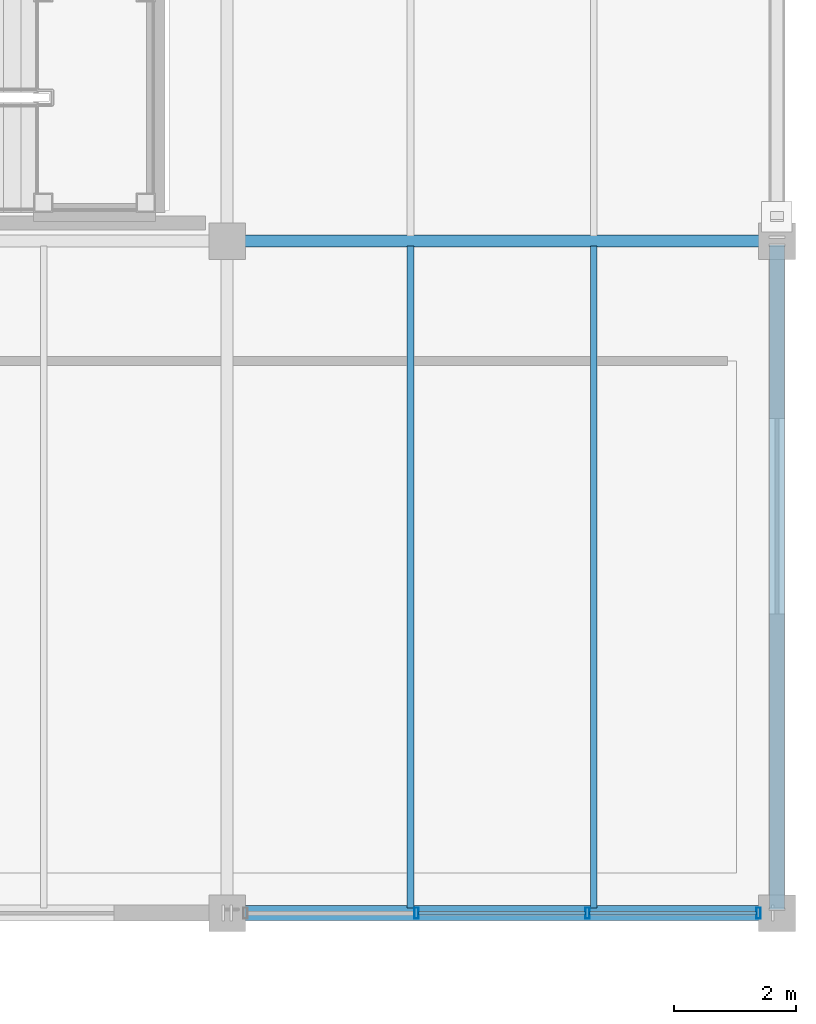
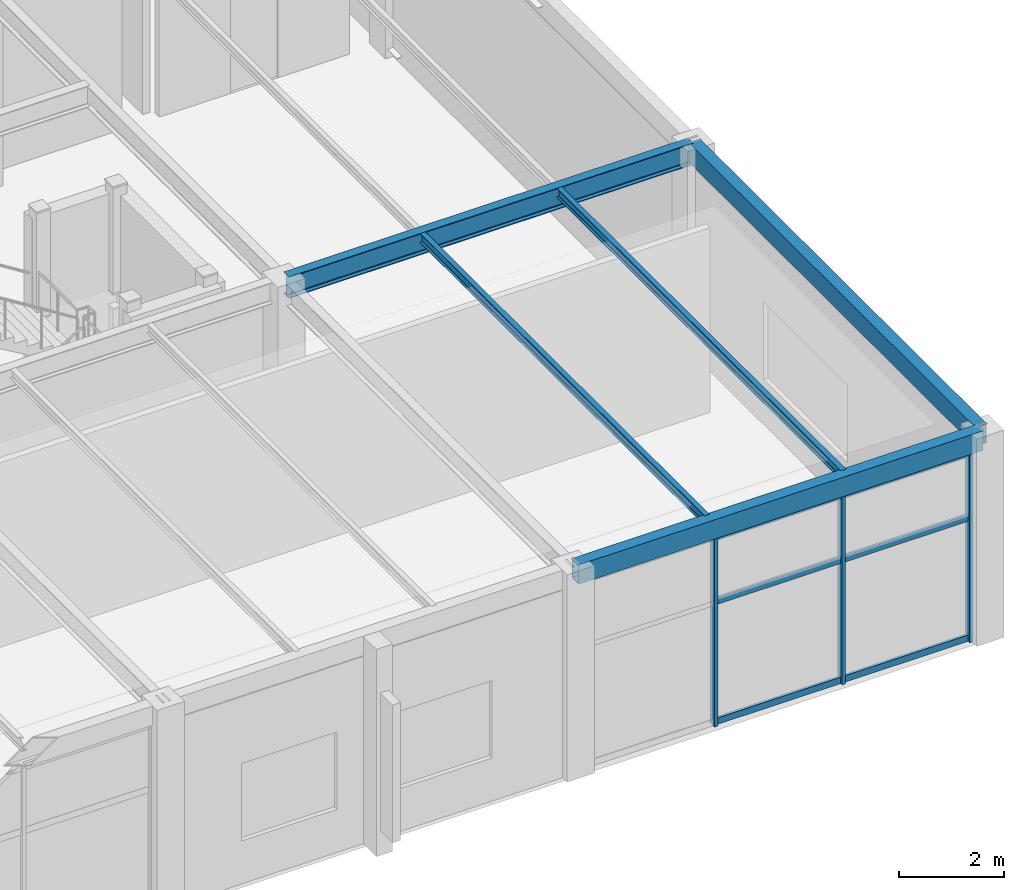
# One storey, part 62 of 143: 9 members, 5 beams, 1 element without a shape of its own.
"""IFC4 building model written with IfcOpenShell, lengths in metres."""

import ifcopenshell
import ifcopenshell.guid

model = None  # the IFC model being written
_history = None  # IfcOwnerHistory: only IFC2X3 demands one
_inside = {}  # id of a spatial element -> (the spatial element, [elements in it])
_under = {}  # id of a project, library or spatial element -> (it, [spatial elements below it])
_declared = {}  # id of a project -> (the project, [libraries it declares])
_typed = {}  # id of a type object -> (the type object, [elements of that type])
_made_of = {}  # id of a material, layer set ... -> (it, [elements and type objects made of it])


def new_model(schema):
    """Start an empty IFC model of exactly this schema.

    Asked for "IFC4X3", IfcOpenShell would pick the latest addendum, in which some entities
    have other attributes; the version numbers below select the first issue.
    IFC2X3 requires an IfcOwnerHistory on every rooted entity: one is made here for all.
    """
    global model, _history
    if schema == "IFC4X3":
        model = ifcopenshell.file(schema_version=(4, 3, 0, 0))
    else:
        model = ifcopenshell.file(schema=schema)
    _inside.clear()
    _under.clear()
    _declared.clear()
    _typed.clear()
    _made_of.clear()
    _history = None
    if model.schema == "IFC2X3":
        org = make("IfcOrganization", Name="unknown")
        user = make(
            "IfcPersonAndOrganization",
            ThePerson=make("IfcPerson", FamilyName="unknown"),
            TheOrganization=org,
        )
        app = make(
            "IfcApplication",
            ApplicationDeveloper=org,
            Version="unknown",
            ApplicationFullName="unknown",
            ApplicationIdentifier="unknown",
        )
        _history = make(
            "IfcOwnerHistory",
            OwningUser=user,
            OwningApplication=app,
            ChangeAction="ADDED",
            CreationDate=0,
        )
    return model


def make(cls, **values):
    """One entity of the class cls with the attributes given. An attribute that is None is left unset."""
    return model.create_entity(
        cls, **{name: value for name, value in values.items() if value is not None}
    )


def rooted(cls, **values):
    """An entity with a GlobalId (a new one), such as an element, a storey or a relation."""
    return make(cls, GlobalId=ifcopenshell.guid.new(), OwnerHistory=_history, **values)


def si_unit(unit_type, name, prefix=None):
    """IfcSIUnit, for example si_unit("LENGTHUNIT", "METRE", prefix="MILLI")."""
    return make("IfcSIUnit", UnitType=unit_type, Prefix=prefix, Name=name)


def assignment(units):
    """IfcUnitAssignment: the units of a project."""
    return None if units is None else make("IfcUnitAssignment", Units=units)


def point(xyz):
    """IfcCartesianPoint."""
    return None if xyz is None else make("IfcCartesianPoint", Coordinates=xyz)


def direction(xyz):
    """IfcDirection."""
    return None if xyz is None else make("IfcDirection", DirectionRatios=xyz)


def frame(location, z_axis=None, x_axis=None):
    """IfcAxis2Placement3D, a coordinate frame: its origin and axes. An axis left out is left unset."""
    return make(
        "IfcAxis2Placement3D",
        Location=point(location),
        Axis=direction(z_axis),
        RefDirection=direction(x_axis),
    )


def frame_2d(location, x_axis=None):
    """IfcAxis2Placement2D, a coordinate frame in the plane: its origin and x axis."""
    return make(
        "IfcAxis2Placement2D", Location=point(location), RefDirection=direction(x_axis)
    )


def origin():
    """The frame at (0, 0, 0) with its axes left unset."""
    return frame((0.0, 0.0, 0.0))


def origin_2d():
    """The frame at (0, 0) in the plane with its x axis left unset."""
    return frame_2d((0.0, 0.0))


def place(relative_to, where):
    """IfcLocalPlacement: puts the frame where relative to a parent placement (None: the world)."""
    return make(
        "IfcLocalPlacement", PlacementRelTo=relative_to, RelativePlacement=where
    )


def context(
    kind, dimensions, precision=None, world=None, true_north=None, identifier=None
):
    """IfcGeometricRepresentationContext, for example the 3D "Model" context."""
    return make(
        "IfcGeometricRepresentationContext",
        ContextIdentifier=identifier,
        ContextType=kind,
        CoordinateSpaceDimension=dimensions,
        Precision=precision,
        WorldCoordinateSystem=world,
        TrueNorth=true_north,
    )


def subcontext(parent, identifier, kind, view, scale=None):
    """IfcGeometricRepresentationSubContext, for example "Body" below "Model"."""
    return make(
        "IfcGeometricRepresentationSubContext",
        ContextIdentifier=identifier,
        ContextType=kind,
        ParentContext=parent,
        TargetScale=scale,
        TargetView=view,
    )


def project(units=None, contexts=None):
    """IfcProject with its units and contexts."""
    return rooted(
        "IfcProject",
        Name="project",
        RepresentationContexts=contexts,
        UnitsInContext=assignment(units),
    )


def spatial(cls, under=None, at=None, **own):
    """A site, building, storey or space (cls), placed at a placement, below another one or the project."""
    s = rooted(cls, ObjectPlacement=at, **own)
    if under is not None:
        _under.setdefault(under.id(), (under, []))[1].append(s)
    return s


def profile(cls, at=None, kind="AREA", **sizes):
    """A parametric profile (cls). Its sizes go by their IFC names, for example OverallWidth=200.0."""
    return make(cls, ProfileType=kind, Position=at, **sizes)


def hollow_rectangle(**sizes):
    """IfcRectangleHollowProfileDef."""
    return profile("IfcRectangleHollowProfileDef", **sizes)


def i_section(**sizes):
    """IfcIShapeProfileDef."""
    return profile("IfcIShapeProfileDef", **sizes)


def extrude(swept, where, along, depth):
    """IfcExtrudedAreaSolid: the profile swept, set in the frame where, extruded along a direction by depth."""
    return make(
        "IfcExtrudedAreaSolid",
        SweptArea=swept,
        Position=where,
        ExtrudedDirection=direction(along),
        Depth=depth,
    )


def shape(context_of_items, identifier, shape_type, items):
    """IfcShapeRepresentation: the items that make up one representation, for example the "Body"."""
    return make(
        "IfcShapeRepresentation",
        ContextOfItems=context_of_items,
        RepresentationIdentifier=identifier,
        RepresentationType=shape_type,
        Items=items,
    )


def material(Name=None, Category=None):
    """IfcMaterial."""
    return make("IfcMaterial", Name=Name, Category=Category)


def layer(
    of_material, thickness, ventilated=None, Name=None, Category=None, Priority=None
):
    """IfcMaterialLayer: one layer of a wall or slab, of a material (None: an air gap)."""
    return make(
        "IfcMaterialLayer",
        Material=of_material,
        LayerThickness=thickness,
        IsVentilated=ventilated,
        Name=Name,
        Category=Category,
        Priority=Priority,
    )


def layer_set(layers, Name=None):
    """IfcMaterialLayerSet."""
    return make("IfcMaterialLayerSet", MaterialLayers=layers, LayerSetName=Name)


def material_profile(
    of_material, cross_section, Name=None, Category=None, Priority=None
):
    """IfcMaterialProfile: a cross section and its material."""
    return make(
        "IfcMaterialProfile",
        Name=Name,
        Material=of_material,
        Profile=cross_section,
        Priority=Priority,
        Category=Category,
    )


def profile_set(profiles, Name=None, composite=None):
    """IfcMaterialProfileSet."""
    return make(
        "IfcMaterialProfileSet",
        Name=Name,
        MaterialProfiles=profiles,
        CompositeProfile=composite,
    )


def made_of(thing, what):
    """Note that an element or type object is made of a material, layer set ...; save() writes the relation."""
    if what is not None:
        _made_of.setdefault(what.id(), (what, []))[1].append(thing)
    return thing


def type_object(cls, material=None, **own):
    """A type object (cls), such as IfcWallType, which elements share."""
    return made_of(rooted(cls, **own), material)


def element(
    cls,
    number,
    at=None,
    inside=None,
    cuts=None,
    type_object=None,
    material=None,
    context=None,
    identifier="Body",
    shape_type=None,
    held_by="IfcProductDefinitionShape",
    body=None,
    shapes=None,
    **own,
):
    """One element of the class cls, such as IfcWall. Its Tag is "e" and its number.

    at: its placement. inside: the storey or other place that contains it. cuts: it is an
    opening in that element (IfcRelVoidsElement). A single representation is given by context,
    identifier, shape_type and body (its items); several are given by shapes. held_by: the class
    of the entity that holds the representations. save() writes the other relations.
    """
    e = rooted(cls, Tag="e%d" % number, ObjectPlacement=at, **own)
    if body is not None:
        shapes = [shape(context, identifier, shape_type, body)]
    if shapes is not None:
        e.Representation = make(held_by, Representations=shapes)
    if inside is not None:
        _inside.setdefault(inside.id(), (inside, []))[1].append(e)
    if cuts is not None:
        rooted(
            "IfcRelVoidsElement", RelatingBuildingElement=cuts, RelatedOpeningElement=e
        )
    if type_object is not None:
        _typed.setdefault(type_object.id(), (type_object, []))[1].append(e)
    return made_of(e, material)


def aggregate(whole, parts):
    """IfcRelAggregates: a whole, such as a stair, and the parts it consists of."""
    return rooted("IfcRelAggregates", RelatingObject=whole, RelatedObjects=parts)


def save(model, path):
    """Write the relations noted so far, then the file.

    IfcRelAggregates (storeys below a building ...), IfcRelContainedInSpatialStructure (elements
    in a storey), IfcRelDefinesByType, IfcRelAssociatesMaterial and IfcRelDeclares: one each for
    every whole, place, type object, material and project.
    """
    for whole, parts in _under.values():
        aggregate(whole, parts)
    for where, things in _inside.values():
        rooted(
            "IfcRelContainedInSpatialStructure",
            RelatedElements=things,
            RelatingStructure=where,
        )
    for kind, things in _typed.values():
        rooted("IfcRelDefinesByType", RelatedObjects=things, RelatingType=kind)
    for what, things in _made_of.values():
        rooted("IfcRelAssociatesMaterial", RelatedObjects=things, RelatingMaterial=what)
    for by, libraries in _declared.values():
        rooted("IfcRelDeclares", RelatingContext=by, RelatedDefinitions=libraries)
    model.write(path)


model = new_model("IFC4")

# Units and contexts
model_context = context("Model", 3, precision=1e-05, world=origin(), true_north=direction((0.0, 1.0)))
body_context = subcontext(model_context, "Body", "Model", "MODEL_VIEW")
ifc_project = project(units=[si_unit("LENGTHUNIT", "METRE"), si_unit("AREAUNIT", "SQUARE_METRE"), si_unit("VOLUMEUNIT", "CUBIC_METRE"), si_unit("PLANEANGLEUNIT", "RADIAN"), si_unit("MASSUNIT", "GRAM", prefix="KILO")], contexts=[model_context])

# Site, building, storey
site_placement = place(None, origin())
site = spatial("IfcSite", under=ifc_project, at=site_placement, CompositionType="ELEMENT")
building_placement = place(site_placement, origin())
building = spatial("IfcBuilding", under=site, at=building_placement, Name="Marlcrest Central Station", CompositionType="ELEMENT")
storey_placement = place(building_placement, frame((0.0, 0.0, 4.800048828125)))
storey = spatial("IfcBuildingStorey", under=building, at=storey_placement, Name="L01", CompositionType="ELEMENT", Elevation=4.800048828125)

# Beams
ifc_material_1 = material(Name="Steel S355", Category="steel")
ifc_material_profile_1 = material_profile(ifc_material_1, i_section(OverallWidth=0.199951171875, OverallDepth=0.5, WebThickness=0.01025390625, FlangeThickness=0.01611328125, FilletRadius=0.02099609375, at=origin_2d()), Name="IPE 500")
ifc_profile_set_1 = profile_set([ifc_material_profile_1], Name="Steel S355")
beam_type_1 = type_object("IfcBeamType", Name="BM-05", PredefinedType="BEAM", material=ifc_profile_set_1)
beam_1_placement = place(storey_placement, frame((207.06005859375, 11.0, 4.56494140625), z_axis=(1.0, 0.0, 0.0), x_axis=(0.0, 1.0, 0.0)))
element("IfcBeam", 1, at=beam_1_placement, inside=storey, type_object=beam_type_1, Name="bm-BM-05-L01-00872", PredefinedType="BEAM", context=body_context, shape_type="SweptSolid", body=[
    extrude(i_section(OverallWidth=0.199951171875, OverallDepth=0.5, WebThickness=0.01025390625, FlangeThickness=0.01611328125, FilletRadius=0.02099609375, at=origin_2d()), origin(), (0.0, 0.0, 1.0), 8.8798828125),
])
ifc_material_profile_2 = material_profile(ifc_material_1, i_section(OverallWidth=0.110107421875, OverallDepth=0.219970703125, WebThickness=0.005859375, FlangeThickness=0.00927734375, FilletRadius=0.011962890625, at=origin_2d()), Name="IPE 220")
ifc_profile_set_2 = profile_set([ifc_material_profile_2], Name="Steel S355")
beam_type_2 = type_object("IfcBeamType", Name="JS-02", PredefinedType="JOIST", material=ifc_profile_set_2)
for number, where, z_axis, x_axis, name in (
    (2, (210.0, 0.0830078125, 4.704833984375), (0.0, 1.0, 0.0), (-1.0, 0.0, 0.0), "bm-JS-02-L01-00947"),
    (3, (213.0, 0.0830078125, 4.704833984375), (0.0, 1.0, 0.0), (-1.0, 0.0, 0.0), "bm-JS-02-L01-00950"),
):
    element("IfcBeam", number, at=place(storey_placement, frame(where, z_axis=z_axis, x_axis=x_axis)), inside=storey, type_object=beam_type_2, Name=name, PredefinedType="JOIST", context=body_context, shape_type="SweptSolid", body=[
        extrude(i_section(OverallWidth=0.110107421875, OverallDepth=0.219970703125, WebThickness=0.005859375, FlangeThickness=0.00927734375, FilletRadius=0.011962890625, at=origin_2d()), origin(), (0.0, 0.0, 1.0), 10.833984375),
    ])

# Curtain wall, members
ifc_material_2 = material(Name="Anodised aluminium and hurricane laminated glass", Category="aluminium")
ifc_layer = layer(ifc_material_2, 0.179931640625, Name="CW-S1")
ifc_layer_set = layer_set([ifc_layer], Name="Anodised aluminium and hurricane laminated glass")
curtain_wall_type = type_object("IfcCurtainWallType", Name="CW-S1", PredefinedType="USERDEFINED", material=ifc_layer_set)
curtain_wall_placement = place(storey_placement, origin())
curtain_wall = element("IfcCurtainWall", 4, at=curtain_wall_placement, inside=storey, type_object=curtain_wall_type, Name="cw-L01-0152", ObjectType="STICK_CURTAIN_WALL", PredefinedType="USERDEFINED")
ifc_material_3 = material(Name="Anodised aluminium 6063-T6", Category="aluminium")
ifc_material_profile_3 = material_profile(ifc_material_3, hollow_rectangle(XDim=0.070068359375, YDim=0.179931640625, WallThickness=0.0048828125, at=origin_2d()), Name="AA-RHS 180x70x5")
ifc_profile_set_3 = profile_set([ifc_material_profile_3], Name="Anodised aluminium 6063-T6")
member_type_1 = type_object("IfcMemberType", Name="ML-02", PredefinedType="MULLION", material=ifc_profile_set_3)
member_1_placement = place(storey_placement, frame((215.699951171875, 0.0, -0.030029296875), z_axis=(0.0, 0.0, 1.0), x_axis=(1.0, 0.0, 0.0)))
member_1 = element("IfcMember", 5, at=member_1_placement, type_object=member_type_1, Name="cw-L01-0152-ml-0", PredefinedType="MULLION", context=body_context, shape_type="SweptSolid", body=[
    extrude(hollow_rectangle(XDim=0.070068359375, YDim=0.179931640625, WallThickness=0.0048828125, at=origin_2d()), origin(), (0.0, 0.0, 1.0), 4.409912109375),
])
member_2_placement = place(storey_placement, frame((212.89990234375, 0.0, -0.030029296875), z_axis=(0.0, 0.0, 1.0), x_axis=(1.0, 0.0, 0.0)))
member_2 = element("IfcMember", 6, at=member_2_placement, type_object=member_type_1, Name="cw-L01-0152-ml-1", PredefinedType="MULLION", context=body_context, shape_type="SweptSolid", body=[
    extrude(hollow_rectangle(XDim=0.070068359375, YDim=0.179931640625, WallThickness=0.0048828125, at=origin_2d()), origin(), (0.0, 0.0, 1.0), 4.409912109375),
])
member_3_placement = place(storey_placement, frame((210.10009765625, 0.0, -0.030029296875), z_axis=(0.0, 0.0, 1.0), x_axis=(1.0, 0.0, 0.0)))
member_3 = element("IfcMember", 7, at=member_3_placement, type_object=member_type_1, Name="cw-L01-0152-ml-2", PredefinedType="MULLION", context=body_context, shape_type="SweptSolid", body=[
    extrude(hollow_rectangle(XDim=0.070068359375, YDim=0.179931640625, WallThickness=0.0048828125, at=origin_2d()), origin(), (0.0, 0.0, 1.0), 4.409912109375),
])

# Beams
ifc_material_profile_4 = material_profile(ifc_material_1, hollow_rectangle(XDim=0.25, YDim=0.449951171875, WallThickness=0.01611328125, at=origin_2d()), Name="RHS 450x250x16")
ifc_profile_set_4 = profile_set([ifc_material_profile_4], Name="Steel S355")
beam_type_3 = type_object("IfcBeamType", Name="SP-02", PredefinedType="SPANDREL", material=ifc_profile_set_4)
beam_2_placement = place(storey_placement, frame((207.06005859375, 0.0, 4.58984375), z_axis=(1.0, 0.0, 0.0), x_axis=(0.0, 1.0, 0.0)))
element("IfcBeam", 8, at=beam_2_placement, inside=storey, type_object=beam_type_3, Name="bm-SP-02-L01-00865", PredefinedType="SPANDREL", context=body_context, shape_type="SweptSolid", body=[
    extrude(hollow_rectangle(XDim=0.25, YDim=0.449951171875, WallThickness=0.01611328125, at=origin_2d()), origin(), (0.0, 0.0, 1.0), 8.8798828125),
])
beam_3_placement = place(storey_placement, frame((216.0, 0.06005859375, 4.58984375), z_axis=(0.0, 1.0, 0.0), x_axis=(-1.0, 0.0, 0.0)))
element("IfcBeam", 9, at=beam_3_placement, inside=storey, type_object=beam_type_3, Name="bm-SP-02-L01-00908", PredefinedType="SPANDREL", context=body_context, shape_type="SweptSolid", body=[
    extrude(hollow_rectangle(XDim=0.25, YDim=0.449951171875, WallThickness=0.01611328125, at=origin_2d()), origin(), (0.0, 0.0, 1.0), 10.8798828125),
])

# Member
ifc_material_profile_5 = material_profile(ifc_material_3, hollow_rectangle(XDim=0.06005859375, YDim=0.14990234375, WallThickness=0.00390625, at=origin_2d()), Name="AA-RHS 150x60x4")
ifc_profile_set_5 = profile_set([ifc_material_profile_5], Name="Anodised aluminium 6063-T6")
member_type_2 = type_object("IfcMemberType", Name="TR-01", PredefinedType="USERDEFINED", material=ifc_profile_set_5)
member_4_placement = place(storey_placement, frame((215.6669921875, 0.0, 0.0400390625), z_axis=(-1.0, 0.0, 0.0), x_axis=(0.0, -1.0, 0.0)))
member_4 = element("IfcMember", 10, at=member_4_placement, type_object=member_type_2, Name="cw-L01-0152-tr-0-sill", ObjectType="TRANSOM", PredefinedType="USERDEFINED", context=body_context, shape_type="SweptSolid", body=[
    extrude(hollow_rectangle(XDim=0.06005859375, YDim=0.14990234375, WallThickness=0.00390625, at=origin_2d()), origin(), (0.0, 0.0, 1.0), 2.73388671875),
])

member_5_placement = place(storey_placement, frame((215.6669921875, 0.0, 2.827880859375), z_axis=(-1.0, 0.0, 0.0), x_axis=(0.0, -1.0, 0.0)))
member_5 = element("IfcMember", 11, at=member_5_placement, type_object=member_type_2, Name="cw-L01-0152-tr-0-mid", ObjectType="TRANSOM", PredefinedType="USERDEFINED", context=body_context, shape_type="SweptSolid", body=[
    extrude(hollow_rectangle(XDim=0.06005859375, YDim=0.14990234375, WallThickness=0.00390625, at=origin_2d()), origin(), (0.0, 0.0, 1.0), 2.73388671875),
])

member_6_placement = place(storey_placement, frame((215.6669921875, 0.0, 4.31005859375), z_axis=(-1.0, 0.0, 0.0), x_axis=(0.0, -1.0, 0.0)))
member_6 = element("IfcMember", 12, at=member_6_placement, type_object=member_type_2, Name="cw-L01-0152-tr-0-head", ObjectType="TRANSOM", PredefinedType="USERDEFINED", context=body_context, shape_type="SweptSolid", body=[
    extrude(hollow_rectangle(XDim=0.06005859375, YDim=0.14990234375, WallThickness=0.00390625, at=origin_2d()), origin(), (0.0, 0.0, 1.0), 2.73388671875),
])

member_7_placement = place(storey_placement, frame((212.866943359375, 0.0, 0.0400390625), z_axis=(-1.0, 0.0, 0.0), x_axis=(0.0, -1.0, 0.0)))
member_7 = element("IfcMember", 13, at=member_7_placement, type_object=member_type_2, Name="cw-L01-0152-tr-1-sill", ObjectType="TRANSOM", PredefinedType="USERDEFINED", context=body_context, shape_type="SweptSolid", body=[
    extrude(hollow_rectangle(XDim=0.06005859375, YDim=0.14990234375, WallThickness=0.00390625, at=origin_2d()), origin(), (0.0, 0.0, 1.0), 2.73388671875),
])

member_8_placement = place(storey_placement, frame((212.866943359375, 0.0, 2.827880859375), z_axis=(-1.0, 0.0, 0.0), x_axis=(0.0, -1.0, 0.0)))
member_8 = element("IfcMember", 14, at=member_8_placement, type_object=member_type_2, Name="cw-L01-0152-tr-1-mid", ObjectType="TRANSOM", PredefinedType="USERDEFINED", context=body_context, shape_type="SweptSolid", body=[
    extrude(hollow_rectangle(XDim=0.06005859375, YDim=0.14990234375, WallThickness=0.00390625, at=origin_2d()), origin(), (0.0, 0.0, 1.0), 2.73388671875),
])

member_9_placement = place(storey_placement, frame((212.866943359375, 0.0, 4.31005859375), z_axis=(-1.0, 0.0, 0.0), x_axis=(0.0, -1.0, 0.0)))
member_9 = element("IfcMember", 15, at=member_9_placement, type_object=member_type_2, Name="cw-L01-0152-tr-1-head", ObjectType="TRANSOM", PredefinedType="USERDEFINED", context=body_context, shape_type="SweptSolid", body=[
    extrude(hollow_rectangle(XDim=0.06005859375, YDim=0.14990234375, WallThickness=0.00390625, at=origin_2d()), origin(), (0.0, 0.0, 1.0), 2.73388671875),
])

aggregate(curtain_wall, [member_1, member_2, member_3, member_4, member_5, member_6, member_7, member_8, member_9])

save(model, "model.ifc")
